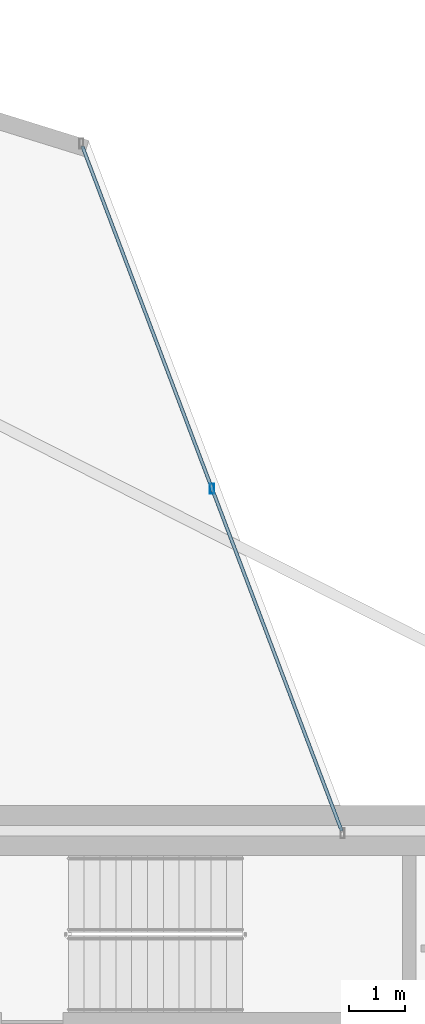
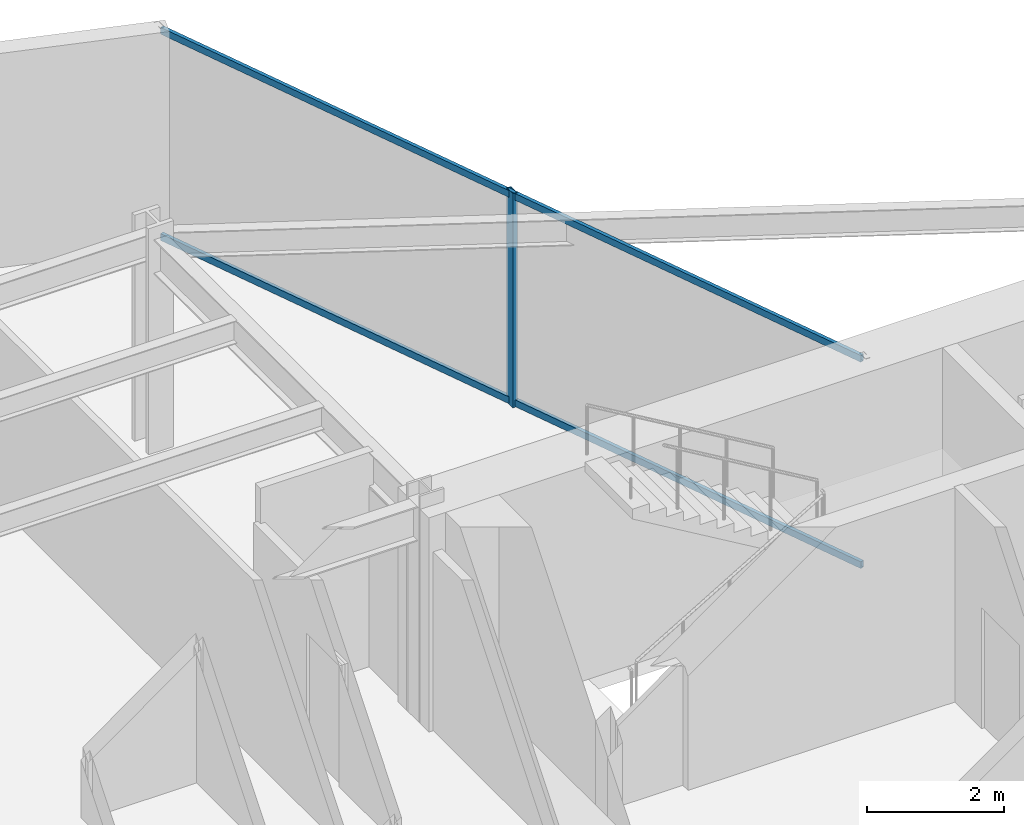
# One storey, part 20 of 30: 3 members, 1 element without a shape of its own.
"""IFC4 building model written with IfcOpenShell, lengths in metres."""

from ifc_helpers import new_model, si_unit, direction, frame, origin, origin_2d, place, context, subcontext, project, spatial, hollow_rectangle, extrude, material, layer, layer_set, material_profile, profile_set, type_object, element, aggregate, save


model = new_model("IFC4")

# Units and contexts
model_context = context("Model", 3, precision=1e-05, world=origin(), true_north=direction((0.0, 1.0)))
body_context = subcontext(model_context, "Body", "Model", "MODEL_VIEW")
ifc_project = project(units=[si_unit("LENGTHUNIT", "METRE"), si_unit("AREAUNIT", "SQUARE_METRE"), si_unit("VOLUMEUNIT", "CUBIC_METRE"), si_unit("PLANEANGLEUNIT", "RADIAN"), si_unit("MASSUNIT", "GRAM", prefix="KILO")], contexts=[model_context])

# Site, building, storey
site_placement = place(None, origin())
site = spatial("IfcSite", under=ifc_project, at=site_placement, CompositionType="ELEMENT")
building_placement = place(site_placement, origin())
building = spatial("IfcBuilding", under=site, at=building_placement, Name="Veymaron Broadcast Tower", CompositionType="ELEMENT")
storey_placement = place(building_placement, frame((0.0, 0.0, 37.800048828125)))
storey = spatial("IfcBuildingStorey", under=building, at=storey_placement, Name="L07", CompositionType="ELEMENT", Elevation=37.800048828125)

# Curtain wall, members
ifc_material_1 = material(Name="Anodised aluminium AA 6063-T6 and laminated low-E dark glass", Category="aluminium")
ifc_layer = layer(ifc_material_1, 0.179931640625)
ifc_layer_set = layer_set([ifc_layer], Name="Anodised aluminium AA 6063-T6 and laminated low-E dark glass")
curtain_wall_type = type_object("IfcCurtainWallType", Name="CW-SYS-02", PredefinedType="NOTDEFINED", material=ifc_layer_set)
curtain_wall_placement = place(storey_placement, origin())
curtain_wall = element("IfcCurtainWall", 1, at=curtain_wall_placement, inside=storey, type_object=curtain_wall_type, Name="L07 dark-glass curtain wall CW-L07-E5-1", PredefinedType="NOTDEFINED")
ifc_material_2 = material(Name="Anodised aluminium AA 6063-T6", Category="aluminium")
ifc_material_profile_1 = material_profile(ifc_material_2, hollow_rectangle(XDim=0.074951171875, YDim=0.179931640625, WallThickness=0.0048828125, at=origin_2d()), Name="AL180X75X5")
ifc_profile_set_1 = profile_set([ifc_material_profile_1], Name="Anodised aluminium AA 6063-T6")
member_type_1 = type_object("IfcMemberType", Name="CW-MUL-02", PredefinedType="MULLION", material=ifc_profile_set_1)
member_1_placement = place(storey_placement, frame((44.014892578125, 38.157470703125, 0.0), z_axis=(0.0, 0.0, 1.0), x_axis=(1.0, 0.0, 0.0)))
member_1 = element("IfcMember", 2, at=member_1_placement, type_object=member_type_1, Name="CW-L07-E5-1 mullion 1", PredefinedType="MULLION", context=body_context, shape_type="SweptSolid", body=[
    extrude(hollow_rectangle(XDim=0.074951171875, YDim=0.179931640625, WallThickness=0.0048828125, at=origin_2d()), origin(), (0.0, 0.0, 1.0), 3.81005859375),
])
ifc_material_profile_2 = material_profile(ifc_material_2, hollow_rectangle(XDim=0.06005859375, YDim=0.1201171875, WallThickness=0.00390625, at=origin_2d()), Name="AL120X60X4")
ifc_profile_set_2 = profile_set([ifc_material_profile_2], Name="Anodised aluminium AA 6063-T6")
member_type_2 = type_object("IfcMemberType", Name="CW-TRN-02", PredefinedType="USERDEFINED", material=ifc_profile_set_2)
member_2_placement = place(storey_placement, frame((46.348388671875, 31.997314453125, 0.070068359375), z_axis=(-0.354240813024, 0.935154236684, 0.0), x_axis=(-0.935154236684, -0.354240813024, 0.0)))
member_2 = element("IfcMember", 3, at=member_2_placement, type_object=member_type_2, Name="CW-L07-E5-1 transom B", ObjectType="TRANSOM", PredefinedType="USERDEFINED", context=body_context, shape_type="SweptSolid", body=[
    extrude(hollow_rectangle(XDim=0.06005859375, YDim=0.1201171875, WallThickness=0.00390625, at=origin_2d()), origin(), (0.0, 0.0, 1.0), 13.174560546875),
])
member_3_placement = place(storey_placement, frame((46.348388671875, 31.997314453125, 3.739990234375), z_axis=(-0.354240813024, 0.935154236684, 0.0), x_axis=(-0.935154236684, -0.354240813024, 0.0)))
member_3 = element("IfcMember", 4, at=member_3_placement, type_object=member_type_2, Name="CW-L07-E5-1 transom T", ObjectType="TRANSOM", PredefinedType="USERDEFINED", context=body_context, shape_type="SweptSolid", body=[
    extrude(hollow_rectangle(XDim=0.06005859375, YDim=0.1201171875, WallThickness=0.00390625, at=origin_2d()), origin(), (0.0, 0.0, 1.0), 13.174560546875),
])
aggregate(curtain_wall, [member_1, member_2, member_3])

save(model, "model.ifc")
